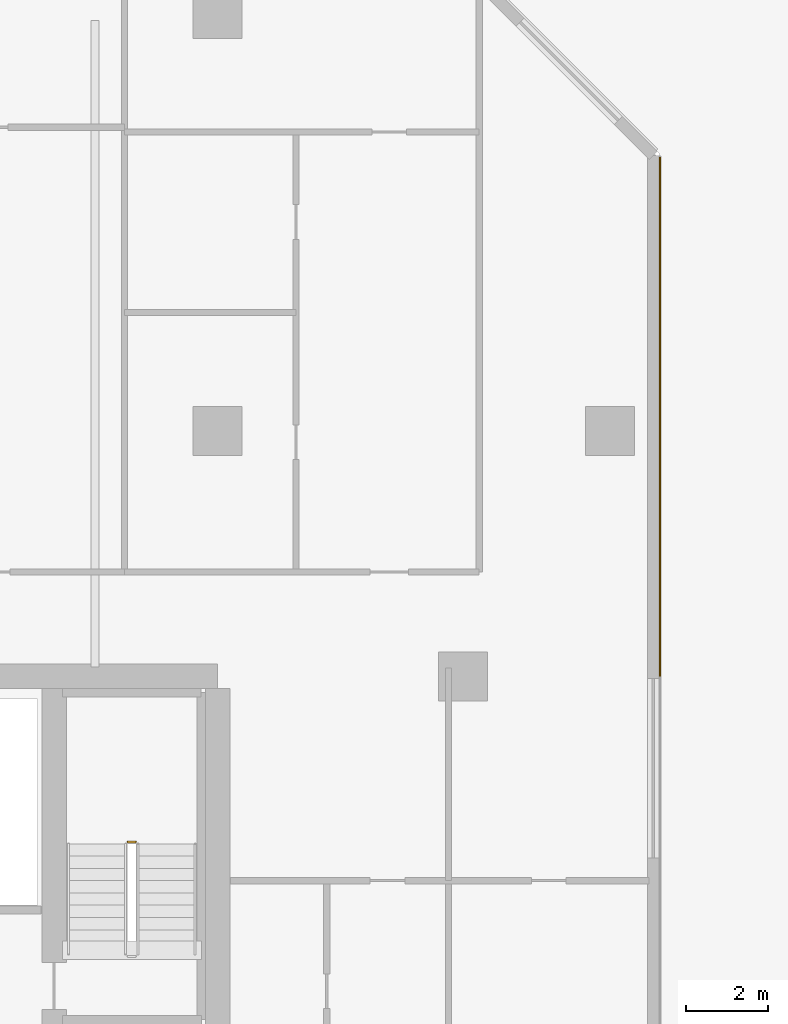
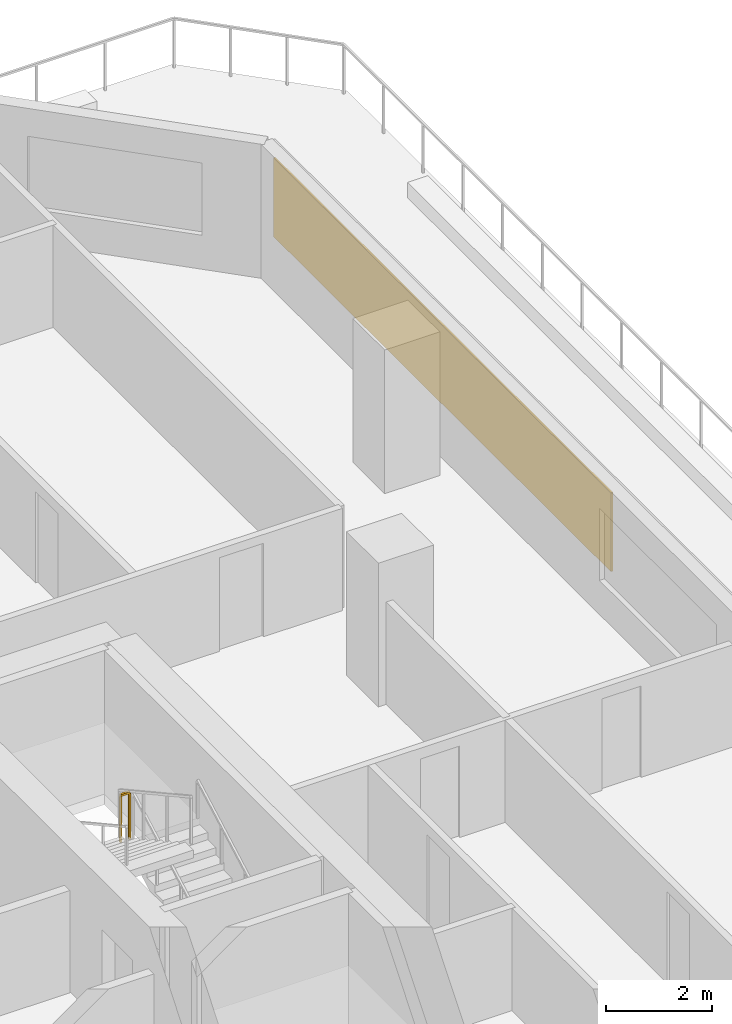
# One storey, part 22 of 23: 1 covering, 1 railing.
"""IFC4 building model written with IfcOpenShell, lengths in metres."""

from ifc_helpers import new_model, si_unit, direction, frame, origin, origin_2d, place, context, subcontext, project, spatial, rectangle, extrude, material, layer, layer_set, type_object, element, save


model = new_model("IFC4")

# Units and contexts
model_context = context("Model", 3, precision=1e-05, world=origin(), true_north=direction((0.0, 1.0)))
body_context = subcontext(model_context, "Body", "Model", "MODEL_VIEW")
ifc_project = project(units=[si_unit("LENGTHUNIT", "METRE"), si_unit("AREAUNIT", "SQUARE_METRE"), si_unit("VOLUMEUNIT", "CUBIC_METRE"), si_unit("PLANEANGLEUNIT", "RADIAN"), si_unit("MASSUNIT", "GRAM", prefix="KILO")], contexts=[model_context])

# Site, building, storey
site_placement = place(None, origin())
site = spatial("IfcSite", under=ifc_project, at=site_placement, CompositionType="ELEMENT")
building_placement = place(site_placement, origin())
building = spatial("IfcBuilding", under=site, at=building_placement, Name="Tanjung Sevakor Pilgrim Tower", CompositionType="ELEMENT")
storey_placement = place(building_placement, frame((0.0, 0.0, 29.0400390625)))
storey = spatial("IfcBuildingStorey", under=building, at=storey_placement, Name="L07", CompositionType="ELEMENT", Elevation=29.0400390625)

# Covering
ifc_material_1 = material(Name="Reconstructed Limestone Cladding", Category="masonry")
ifc_layer = layer(ifc_material_1, 0.044921875)
ifc_layer_set = layer_set([ifc_layer], Name="COV-CLAD-LIMESTONE")
covering_type = type_object("IfcCoveringType", Name="COV-CLAD-LIMESTONE", PredefinedType="CLADDING", material=ifc_layer_set)
covering_placement = place(storey_placement, frame((100.822509765625, 48.950927734375, 0.849853515625), z_axis=(0.0, 0.0, 1.0), x_axis=(0.0, 1.0, 0.0)))
element("IfcCovering", 1, at=covering_placement, inside=storey, type_object=covering_type, Name="L07 Warm Limestone Pier Panel EW-L07-MAIN-7-3", PredefinedType="CLADDING", context=body_context, shape_type="SweptSolid", body=[
    extrude(rectangle(XDim=12.701904296875, YDim=0.044921875, at=origin_2d()), origin(), (0.0, 0.0, 1.0), 1.81005859375),
])

# Railing
ifc_material_2 = material(Name="Steel S355J2", Category="steel")
railing_type = type_object("IfcRailingType", Name="RL-STAIR-GUARD", PredefinedType="GUARDRAIL", material=ifc_material_2)
railing_placement = place(storey_placement, frame((88.0, 38.550048828125, 1.64990234375)))
element("IfcRailing", 2, at=railing_placement, inside=storey, type_object=railing_type, Name="L07 TS-E2 stair guard 2", PredefinedType="GUARDRAIL", context=body_context, shape_type="SweptSolid", body=[
    extrude(rectangle(XDim=0.0479, YDim=0.0479), frame((0.0, 0.0, 1.076171875), z_axis=(-1.0, 0.0, 0.0), x_axis=(0.0, -1.0, 0.0)), (0.0, 0.0, 1.0), 0.199951171875),
    extrude(rectangle(XDim=0.042, YDim=0.042), origin(), (0.0, 0.0, 1.0), 1.052001953125),
    extrude(rectangle(XDim=0.042, YDim=0.042), frame((-0.199951171875, 0.0, 0.0)), (0.0, 0.0, 1.0), 1.052001953125),
])

save(model, "model.ifc")
